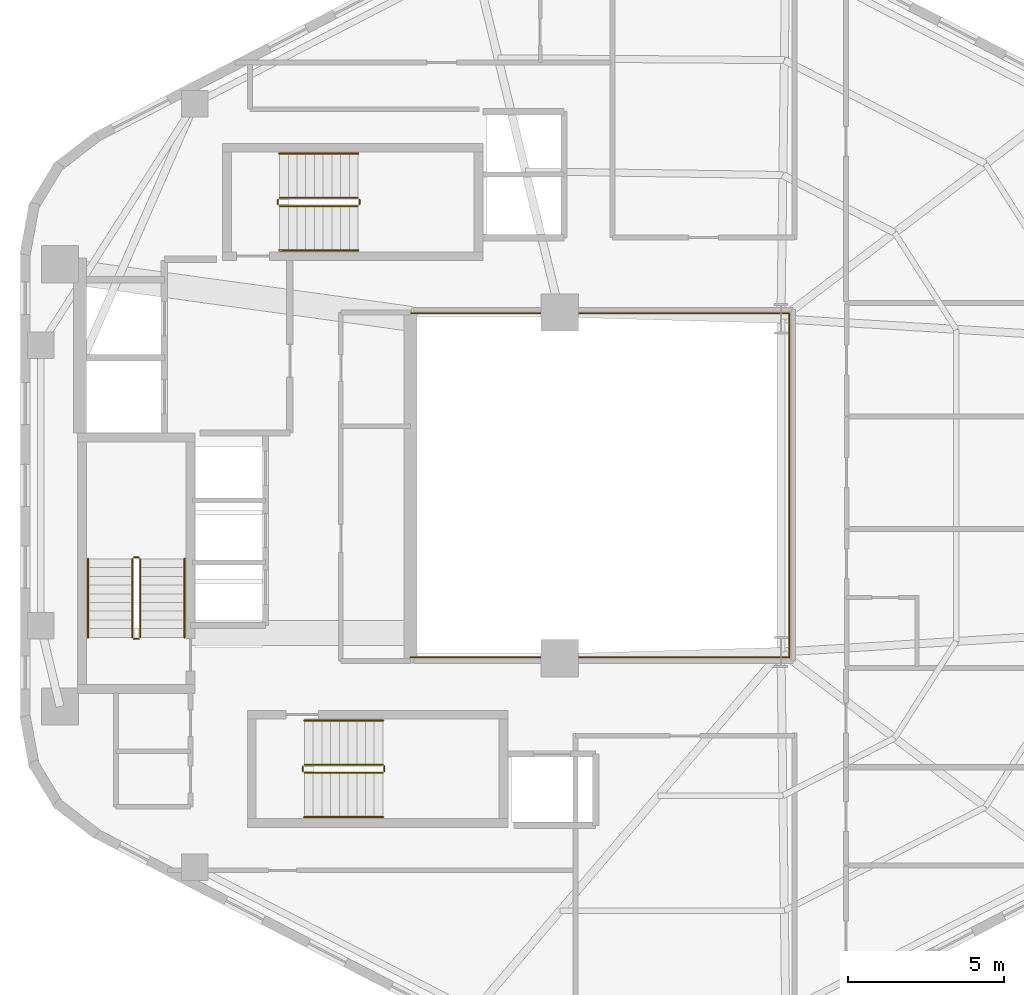
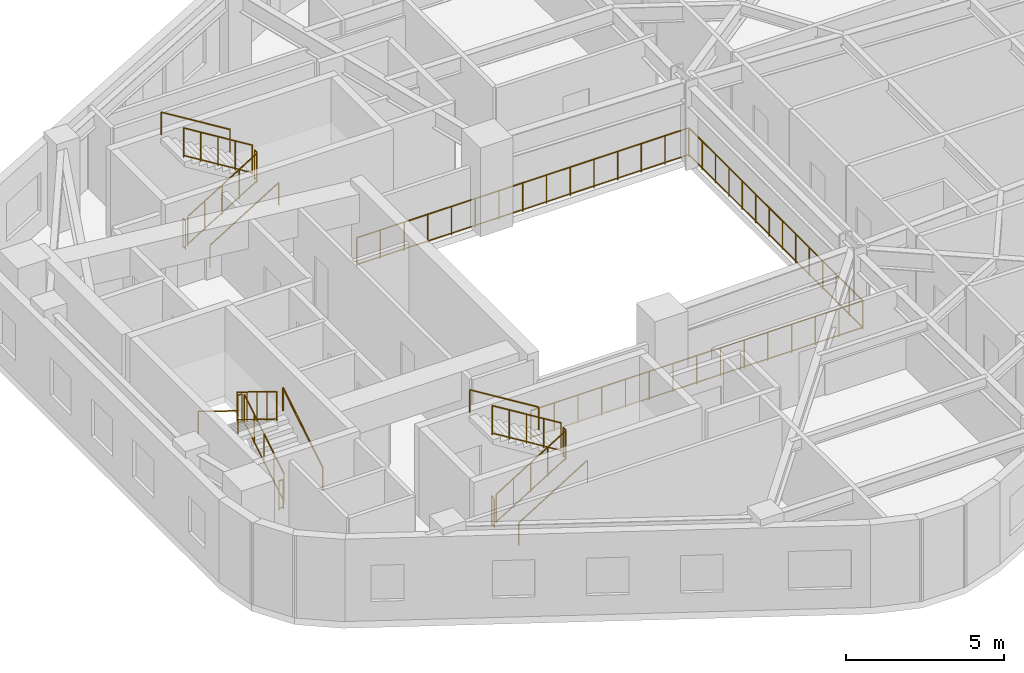
# One storey, part 7 of 7: 19 railings.
"""IFC4 building model written with IfcOpenShell, lengths in metres."""

from ifc_helpers import new_model, si_unit, direction, frame, origin, origin_2d, place, context, subcontext, project, spatial, circle, extrude, material, type_object, element, save


model = new_model("IFC4")

# Units and contexts
model_context = context("Model", 3, precision=1e-05, world=origin(), true_north=direction((0.0, 1.0)))
body_context = subcontext(model_context, "Body", "Model", "MODEL_VIEW")
ifc_project = project(units=[si_unit("LENGTHUNIT", "METRE"), si_unit("AREAUNIT", "SQUARE_METRE"), si_unit("VOLUMEUNIT", "CUBIC_METRE"), si_unit("PLANEANGLEUNIT", "RADIAN"), si_unit("MASSUNIT", "GRAM", prefix="KILO"), si_unit("THERMODYNAMICTEMPERATUREUNIT", "KELVIN"), si_unit("POWERUNIT", "WATT")], contexts=[model_context])

# Site, building, storey
site_placement = place(None, origin())
site = spatial("IfcSite", under=ifc_project, at=site_placement, CompositionType="ELEMENT")
building_placement = place(site_placement, origin())
building = spatial("IfcBuilding", under=site, at=building_placement, Name="Skarre Station Tower", CompositionType="ELEMENT")
storey_placement = place(building_placement, frame((0.0, 0.0, 196.449951171875)))
storey = spatial("IfcBuildingStorey", under=building, at=storey_placement, Name="L53", CompositionType="ELEMENT", Elevation=196.449951171875)

# Railings
ifc_material_1 = material(Name="Bronze Anodized Steel & Laminated Glass Balustrade", Category="steel")
railing_type_1 = type_object("IfcRailingType", Name="Atrium Void & Mezzanine Guard Balustrade 1120", PredefinedType="GUARDRAIL", material=ifc_material_1)
railing_1_placement = place(storey_placement, frame((27.550048828125, 18.47998046875, 0.0)))
element("IfcRailing", 1, at=railing_1_placement, inside=storey, type_object=railing_type_1, Name="L53 Atrium Void Guard Balustrade", PredefinedType="GUARDRAIL", context=body_context, shape_type="SweptSolid", body=[
    extrude(circle(Radius=0.02392578125, at=origin_2d()), frame((0.0, 0.0, 1.09619140625), z_axis=(1.0, 0.0, 0.0), x_axis=(0.0, 1.0, 0.0)), (0.0, 0.0, 1.0), 12.169921875),
    extrude(circle(Radius=0.02099609375, at=origin_2d()), frame((0.0, 0.0, 0.06005859375), z_axis=(1.0, 0.0, 0.0), x_axis=(0.0, 1.0, 0.0)), (0.0, 0.0, 1.0), 12.169921875),
    extrude(circle(Radius=0.02392578125, at=origin_2d()), frame((12.169921875, 0.0, 1.09619140625), z_axis=(0.0, 1.0, 0.0), x_axis=(-1.0, 0.0, 0.0)), (0.0, 0.0, 1.0), 11.0400390625),
    extrude(circle(Radius=0.02099609375, at=origin_2d()), frame((12.169921875, 0.0, 0.06005859375), z_axis=(0.0, 1.0, 0.0), x_axis=(-1.0, 0.0, 0.0)), (0.0, 0.0, 1.0), 11.0400390625),
    extrude(circle(Radius=0.02392578125, at=origin_2d()), frame((12.169921875, 11.0400390625, 1.09619140625), z_axis=(-1.0, 0.0, 0.0), x_axis=(0.0, -1.0, 0.0)), (0.0, 0.0, 1.0), 12.169921875),
    extrude(circle(Radius=0.02099609375, at=origin_2d()), frame((12.169921875, 11.0400390625, 0.06005859375), z_axis=(-1.0, 0.0, 0.0), x_axis=(0.0, -1.0, 0.0)), (0.0, 0.0, 1.0), 12.169921875),
    extrude(circle(Radius=0.02099609375, at=origin_2d()), origin(), (0.0, 0.0, 1.0), 1.072021484375),
    extrude(circle(Radius=0.02099609375, at=origin_2d()), frame((0.869384765625, 0.0, 0.0)), (0.0, 0.0, 1.0), 1.072021484375),
    extrude(circle(Radius=0.02099609375, at=origin_2d()), frame((1.738525390625, 0.0, 0.0)), (0.0, 0.0, 1.0), 1.072021484375),
    extrude(circle(Radius=0.02099609375, at=origin_2d()), frame((2.60791015625, 0.0, 0.0)), (0.0, 0.0, 1.0), 1.072021484375),
    extrude(circle(Radius=0.02099609375, at=origin_2d()), frame((3.47705078125, 0.0, 0.0)), (0.0, 0.0, 1.0), 1.072021484375),
    extrude(circle(Radius=0.02099609375, at=origin_2d()), frame((4.346435546875, 0.0, 0.0)), (0.0, 0.0, 1.0), 1.072021484375),
    extrude(circle(Radius=0.02099609375, at=origin_2d()), frame((5.215576171875, 0.0, 0.0)), (0.0, 0.0, 1.0), 1.072021484375),
    extrude(circle(Radius=0.02099609375, at=origin_2d()), frame((6.0849609375, 0.0, 0.0)), (0.0, 0.0, 1.0), 1.072021484375),
    extrude(circle(Radius=0.02099609375, at=origin_2d()), frame((6.954345703125, 0.0, 0.0)), (0.0, 0.0, 1.0), 1.072021484375),
    extrude(circle(Radius=0.02099609375, at=origin_2d()), frame((7.823486328125, 0.0, 0.0)), (0.0, 0.0, 1.0), 1.072021484375),
    extrude(circle(Radius=0.02099609375, at=origin_2d()), frame((8.69287109375, 0.0, 0.0)), (0.0, 0.0, 1.0), 1.072021484375),
    extrude(circle(Radius=0.02099609375, at=origin_2d()), frame((9.56201171875, 0.0, 0.0)), (0.0, 0.0, 1.0), 1.072021484375),
    extrude(circle(Radius=0.02099609375, at=origin_2d()), frame((10.431396484375, 0.0, 0.0)), (0.0, 0.0, 1.0), 1.072021484375),
    extrude(circle(Radius=0.02099609375, at=origin_2d()), frame((11.300537109375, 0.0, 0.0)), (0.0, 0.0, 1.0), 1.072021484375),
    extrude(circle(Radius=0.02099609375, at=origin_2d()), frame((12.169921875, 0.0, 0.0)), (0.0, 0.0, 1.0), 1.072021484375),
    extrude(circle(Radius=0.02099609375, at=origin_2d()), frame((12.169921875, 0.84912109375, 0.0)), (0.0, 0.0, 1.0), 1.072021484375),
    extrude(circle(Radius=0.02099609375, at=origin_2d()), frame((12.169921875, 1.698486328125, 0.0)), (0.0, 0.0, 1.0), 1.072021484375),
    extrude(circle(Radius=0.02099609375, at=origin_2d()), frame((12.169921875, 2.547607421875, 0.0)), (0.0, 0.0, 1.0), 1.072021484375),
    extrude(circle(Radius=0.02099609375, at=origin_2d()), frame((12.169921875, 3.39697265625, 0.0)), (0.0, 0.0, 1.0), 1.072021484375),
    extrude(circle(Radius=0.02099609375, at=origin_2d()), frame((12.169921875, 4.24609375, 0.0)), (0.0, 0.0, 1.0), 1.072021484375),
    extrude(circle(Radius=0.02099609375, at=origin_2d()), frame((12.169921875, 5.095458984375, 0.0)), (0.0, 0.0, 1.0), 1.072021484375),
    extrude(circle(Radius=0.02099609375, at=origin_2d()), frame((12.169921875, 5.944580078125, 0.0)), (0.0, 0.0, 1.0), 1.072021484375),
    extrude(circle(Radius=0.02099609375, at=origin_2d()), frame((12.169921875, 6.7939453125, 0.0)), (0.0, 0.0, 1.0), 1.072021484375),
    extrude(circle(Radius=0.02099609375, at=origin_2d()), frame((12.169921875, 7.64306640625, 0.0)), (0.0, 0.0, 1.0), 1.072021484375),
    extrude(circle(Radius=0.02099609375, at=origin_2d()), frame((12.169921875, 8.492431640625, 0.0)), (0.0, 0.0, 1.0), 1.072021484375),
    extrude(circle(Radius=0.02099609375, at=origin_2d()), frame((12.169921875, 9.341552734375, 0.0)), (0.0, 0.0, 1.0), 1.072021484375),
    extrude(circle(Radius=0.02099609375, at=origin_2d()), frame((12.169921875, 10.19091796875, 0.0)), (0.0, 0.0, 1.0), 1.072021484375),
    extrude(circle(Radius=0.02099609375, at=origin_2d()), frame((12.169921875, 11.0400390625, 0.0)), (0.0, 0.0, 1.0), 1.072021484375),
    extrude(circle(Radius=0.02099609375, at=origin_2d()), frame((11.300537109375, 11.0400390625, 0.0)), (0.0, 0.0, 1.0), 1.072021484375),
    extrude(circle(Radius=0.02099609375, at=origin_2d()), frame((10.431396484375, 11.0400390625, 0.0)), (0.0, 0.0, 1.0), 1.072021484375),
    extrude(circle(Radius=0.02099609375, at=origin_2d()), frame((9.56201171875, 11.0400390625, 0.0)), (0.0, 0.0, 1.0), 1.072021484375),
    extrude(circle(Radius=0.02099609375, at=origin_2d()), frame((8.69287109375, 11.0400390625, 0.0)), (0.0, 0.0, 1.0), 1.072021484375),
    extrude(circle(Radius=0.02099609375, at=origin_2d()), frame((7.823486328125, 11.0400390625, 0.0)), (0.0, 0.0, 1.0), 1.072021484375),
    extrude(circle(Radius=0.02099609375, at=origin_2d()), frame((6.954345703125, 11.0400390625, 0.0)), (0.0, 0.0, 1.0), 1.072021484375),
    extrude(circle(Radius=0.02099609375, at=origin_2d()), frame((6.0849609375, 11.0400390625, 0.0)), (0.0, 0.0, 1.0), 1.072021484375),
    extrude(circle(Radius=0.02099609375, at=origin_2d()), frame((5.215576171875, 11.0400390625, 0.0)), (0.0, 0.0, 1.0), 1.072021484375),
    extrude(circle(Radius=0.02099609375, at=origin_2d()), frame((4.346435546875, 11.0400390625, 0.0)), (0.0, 0.0, 1.0), 1.072021484375),
    extrude(circle(Radius=0.02099609375, at=origin_2d()), frame((3.47705078125, 11.0400390625, 0.0)), (0.0, 0.0, 1.0), 1.072021484375),
    extrude(circle(Radius=0.02099609375, at=origin_2d()), frame((2.60791015625, 11.0400390625, 0.0)), (0.0, 0.0, 1.0), 1.072021484375),
    extrude(circle(Radius=0.02099609375, at=origin_2d()), frame((1.738525390625, 11.0400390625, 0.0)), (0.0, 0.0, 1.0), 1.072021484375),
    extrude(circle(Radius=0.02099609375, at=origin_2d()), frame((0.869384765625, 11.0400390625, 0.0)), (0.0, 0.0, 1.0), 1.072021484375),
    extrude(circle(Radius=0.02099609375, at=origin_2d()), frame((0.0, 11.0400390625, 0.0)), (0.0, 0.0, 1.0), 1.072021484375),
])
ifc_material_2 = material(Name="Powder-Coated Tubular Steel", Category="steel")
railing_type_2 = type_object("IfcRailingType", Name="Painted Steel Ramp & Stair Handrail 920", PredefinedType="HANDRAIL", material=ifc_material_2)
railing_2_placement = place(storey_placement, frame((20.300048828125, 19.1201171875, 0.172607421875)))
element("IfcRailing", 2, at=railing_2_placement, inside=storey, type_object=railing_type_2, Name="L53 ST-1 stair handrail 1", PredefinedType="HANDRAIL", context=body_context, shape_type="SweptSolid", body=[
    extrude(circle(Radius=0.02392578125, at=origin_2d()), frame((0.0, 0.0, 0.8759765625), z_axis=(0.0, 0.851377800117, 0.52455299205), x_axis=(-1.0, 0.0, 0.0)), (0.0, 0.0, 1.0), 2.959716796875),
    extrude(circle(Radius=0.02099609375, at=origin_2d()), origin(), (0.0, 0.0, 1.0), 0.851806640625),
    extrude(circle(Radius=0.02099609375, at=origin_2d()), frame((0.0, 2.519775390625, 1.552490234375)), (0.0, 0.0, 1.0), 0.851806640625),
])
railing_3_placement = place(storey_placement, frame((17.199951171875, 21.639892578125, 1.8974609375)))
element("IfcRailing", 3, at=railing_3_placement, inside=storey, type_object=railing_type_2, Name="L53 ST-1 stair handrail 2", PredefinedType="HANDRAIL", context=body_context, shape_type="SweptSolid", body=[
    extrude(circle(Radius=0.02392578125, at=origin_2d()), frame((0.0, 0.0, 0.8759765625), z_axis=(0.0, -0.851377800117, 0.52455299205), x_axis=(1.0, 0.0, 0.0)), (0.0, 0.0, 1.0), 2.959716796875),
    extrude(circle(Radius=0.02099609375, at=origin_2d()), origin(), (0.0, 0.0, 1.0), 0.851806640625),
    extrude(circle(Radius=0.02099609375, at=origin_2d()), frame((0.0, -2.519775390625, 1.552490234375)), (0.0, 0.0, 1.0), 0.851806640625),
])
railing_4_placement = place(storey_placement, frame((24.14990234375, 13.35009765625, 0.172607421875)))
element("IfcRailing", 4, at=railing_4_placement, inside=storey, type_object=railing_type_2, Name="L53 ST-2 stair handrail 1", PredefinedType="HANDRAIL", context=body_context, shape_type="SweptSolid", body=[
    extrude(circle(Radius=0.02392578125, at=origin_2d()), frame((0.0, 0.0, 0.8759765625), z_axis=(0.851400495292, 0.0, 0.524516154772), x_axis=(0.0, 1.0, 0.0)), (0.0, 0.0, 1.0), 2.9599609375),
    extrude(circle(Radius=0.02099609375, at=origin_2d()), origin(), (0.0, 0.0, 1.0), 0.851806640625),
    extrude(circle(Radius=0.02099609375, at=origin_2d()), frame((2.52001953125, 0.0, 1.552490234375)), (0.0, 0.0, 1.0), 0.851806640625),
])
railing_5_placement = place(storey_placement, frame((26.669921875, 16.449951171875, 1.8974609375)))
element("IfcRailing", 5, at=railing_5_placement, inside=storey, type_object=railing_type_2, Name="L53 ST-2 stair handrail 2", PredefinedType="HANDRAIL", context=body_context, shape_type="SweptSolid", body=[
    extrude(circle(Radius=0.02392578125, at=origin_2d()), frame((0.0, 0.0, 0.8759765625), z_axis=(-0.851400495292, 0.0, 0.524516154772), x_axis=(0.0, -1.0, 0.0)), (0.0, 0.0, 1.0), 2.9599609375),
    extrude(circle(Radius=0.02099609375, at=origin_2d()), origin(), (0.0, 0.0, 1.0), 0.851806640625),
    extrude(circle(Radius=0.02099609375, at=origin_2d()), frame((-2.52001953125, 0.0, 1.552490234375)), (0.0, 0.0, 1.0), 0.851806640625),
])
railing_6_placement = place(storey_placement, frame((23.35009765625, 31.550048828125, 0.172607421875)))
element("IfcRailing", 6, at=railing_6_placement, inside=storey, type_object=railing_type_2, Name="L53 ST-3 stair handrail 1", PredefinedType="HANDRAIL", context=body_context, shape_type="SweptSolid", body=[
    extrude(circle(Radius=0.02392578125, at=origin_2d()), frame((0.0, 0.0, 0.8759765625), z_axis=(0.851400495292, 0.0, 0.524516154772), x_axis=(0.0, 1.0, 0.0)), (0.0, 0.0, 1.0), 2.9599609375),
    extrude(circle(Radius=0.02099609375, at=origin_2d()), origin(), (0.0, 0.0, 1.0), 0.851806640625),
    extrude(circle(Radius=0.02099609375, at=origin_2d()), frame((2.52001953125, 0.0, 1.552490234375)), (0.0, 0.0, 1.0), 0.851806640625),
])
railing_7_placement = place(storey_placement, frame((25.8701171875, 34.64990234375, 1.8974609375)))
element("IfcRailing", 7, at=railing_7_placement, inside=storey, type_object=railing_type_2, Name="L53 ST-3 stair handrail 2", PredefinedType="HANDRAIL", context=body_context, shape_type="SweptSolid", body=[
    extrude(circle(Radius=0.02392578125, at=origin_2d()), frame((0.0, 0.0, 0.8759765625), z_axis=(-0.851400495292, 0.0, 0.524516154772), x_axis=(0.0, -1.0, 0.0)), (0.0, 0.0, 1.0), 2.9599609375),
    extrude(circle(Radius=0.02099609375, at=origin_2d()), origin(), (0.0, 0.0, 1.0), 0.851806640625),
    extrude(circle(Radius=0.02099609375, at=origin_2d()), frame((-2.52001953125, 0.0, 1.552490234375)), (0.0, 0.0, 1.0), 0.851806640625),
])
railing_type_3 = type_object("IfcRailingType", Name="Painted Steel Stairwell Guardrail 1100", PredefinedType="GUARDRAIL", material=ifc_material_2)
railing_8_placement = place(storey_placement, frame((18.8798828125, 19.1201171875, 0.172607421875)))
element("IfcRailing", 8, at=railing_8_placement, inside=storey, type_object=railing_type_3, Name="L53 ST-1 stair guard 1", PredefinedType="GUARDRAIL", context=body_context, shape_type="SweptSolid", body=[
    extrude(circle(Radius=0.02392578125, at=origin_2d()), frame((0.0, 0.0, 1.1259765625), z_axis=(0.0, 0.851377800117, 0.52455299205), x_axis=(-1.0, 0.0, 0.0)), (0.0, 0.0, 1.0), 2.959716796875),
    extrude(circle(Radius=0.02099609375, at=origin_2d()), frame((0.0, 0.0, 0.06005859375), z_axis=(0.0, 0.851377800117, 0.52455299205), x_axis=(-1.0, 0.0, 0.0)), (0.0, 0.0, 1.0), 2.959716796875),
    extrude(circle(Radius=0.02099609375, at=origin_2d()), origin(), (0.0, 0.0, 1.0), 1.101806640625),
    extrude(circle(Radius=0.02099609375, at=origin_2d()), frame((0.0, 0.6298828125, 0.38818359375)), (0.0, 0.0, 1.0), 1.101806640625),
    extrude(circle(Radius=0.02099609375, at=origin_2d()), frame((0.0, 1.259765625, 0.7763671875)), (0.0, 0.0, 1.0), 1.101806640625),
    extrude(circle(Radius=0.02099609375, at=origin_2d()), frame((0.0, 1.889892578125, 1.164306640625)), (0.0, 0.0, 1.0), 1.101806640625),
    extrude(circle(Radius=0.02099609375, at=origin_2d()), frame((0.0, 2.519775390625, 1.552490234375)), (0.0, 0.0, 1.0), 1.101806640625),
])
railing_9_placement = place(storey_placement, frame((18.830078125, 21.68994140625, 1.72509765625)))
element("IfcRailing", 9, at=railing_9_placement, inside=storey, type_object=railing_type_3, Name="L53 ST-1 stair guard 2", PredefinedType="GUARDRAIL", context=body_context, shape_type="SweptSolid", body=[
    extrude(circle(Radius=0.02392578125, at=origin_2d()), frame((0.0, 0.0, 1.1259765625), z_axis=(-1.0, 0.0, 0.0), x_axis=(0.0, -1.0, 0.0)), (0.0, 0.0, 1.0), 0.16015625),
    extrude(circle(Radius=0.02099609375, at=origin_2d()), frame((0.0, 0.0, 0.06005859375), z_axis=(-1.0, 0.0, 0.0), x_axis=(0.0, -1.0, 0.0)), (0.0, 0.0, 1.0), 0.16015625),
    extrude(circle(Radius=0.02099609375, at=origin_2d()), origin(), (0.0, 0.0, 1.0), 1.101806640625),
    extrude(circle(Radius=0.02099609375, at=origin_2d()), frame((-0.16015625, 0.0, 0.0)), (0.0, 0.0, 1.0), 1.101806640625),
])
railing_10_placement = place(storey_placement, frame((18.6201171875, 21.639892578125, 1.8974609375)))
element("IfcRailing", 10, at=railing_10_placement, inside=storey, type_object=railing_type_3, Name="L53 ST-1 stair guard 3", PredefinedType="GUARDRAIL", context=body_context, shape_type="SweptSolid", body=[
    extrude(circle(Radius=0.02392578125, at=origin_2d()), frame((0.0, 0.0, 1.1259765625), z_axis=(0.0, -0.851377800117, 0.52455299205), x_axis=(1.0, 0.0, 0.0)), (0.0, 0.0, 1.0), 2.959716796875),
    extrude(circle(Radius=0.02099609375, at=origin_2d()), frame((0.0, 0.0, 0.06005859375), z_axis=(0.0, -0.851377800117, 0.52455299205), x_axis=(1.0, 0.0, 0.0)), (0.0, 0.0, 1.0), 2.959716796875),
    extrude(circle(Radius=0.02099609375, at=origin_2d()), origin(), (0.0, 0.0, 1.0), 1.101806640625),
    extrude(circle(Radius=0.02099609375, at=origin_2d()), frame((0.0, -0.6298828125, 0.38818359375)), (0.0, 0.0, 1.0), 1.101806640625),
    extrude(circle(Radius=0.02099609375, at=origin_2d()), frame((0.0, -1.259765625, 0.7763671875)), (0.0, 0.0, 1.0), 1.101806640625),
    extrude(circle(Radius=0.02099609375, at=origin_2d()), frame((0.0, -1.889892578125, 1.164306640625)), (0.0, 0.0, 1.0), 1.101806640625),
    extrude(circle(Radius=0.02099609375, at=origin_2d()), frame((0.0, -2.519775390625, 1.552490234375)), (0.0, 0.0, 1.0), 1.101806640625),
])
railing_11_placement = place(storey_placement, frame((18.830078125, 19.070068359375, 0.0)))
element("IfcRailing", 11, at=railing_11_placement, inside=storey, type_object=railing_type_3, Name="L53 ST-1 stair guard 4", PredefinedType="GUARDRAIL", context=body_context, shape_type="SweptSolid", body=[
    extrude(circle(Radius=0.02392578125, at=origin_2d()), frame((0.0, 0.0, 1.1259765625), z_axis=(-1.0, 0.0, 0.0), x_axis=(0.0, -1.0, 0.0)), (0.0, 0.0, 1.0), 0.16015625),
    extrude(circle(Radius=0.02099609375, at=origin_2d()), frame((0.0, 0.0, 0.06005859375), z_axis=(-1.0, 0.0, 0.0), x_axis=(0.0, -1.0, 0.0)), (0.0, 0.0, 1.0), 0.16015625),
    extrude(circle(Radius=0.02099609375, at=origin_2d()), origin(), (0.0, 0.0, 1.0), 1.101806640625),
    extrude(circle(Radius=0.02099609375, at=origin_2d()), frame((-0.16015625, 0.0, 0.0)), (0.0, 0.0, 1.0), 1.101806640625),
])
railing_12_placement = place(storey_placement, frame((24.14990234375, 14.77001953125, 0.172607421875)))
element("IfcRailing", 12, at=railing_12_placement, inside=storey, type_object=railing_type_3, Name="L53 ST-2 stair guard 1", PredefinedType="GUARDRAIL", context=body_context, shape_type="SweptSolid", body=[
    extrude(circle(Radius=0.02392578125, at=origin_2d()), frame((0.0, 0.0, 1.1259765625), z_axis=(0.851400495292, 0.0, 0.524516154772), x_axis=(0.0, 1.0, 0.0)), (0.0, 0.0, 1.0), 2.9599609375),
    extrude(circle(Radius=0.02099609375, at=origin_2d()), frame((0.0, 0.0, 0.06005859375), z_axis=(0.851400495292, 0.0, 0.524516154772), x_axis=(0.0, 1.0, 0.0)), (0.0, 0.0, 1.0), 2.9599609375),
    extrude(circle(Radius=0.02099609375, at=origin_2d()), origin(), (0.0, 0.0, 1.0), 1.101806640625),
    extrude(circle(Radius=0.02099609375, at=origin_2d()), frame((0.6298828125, 0.0, 0.38818359375)), (0.0, 0.0, 1.0), 1.101806640625),
    extrude(circle(Radius=0.02099609375, at=origin_2d()), frame((1.260009765625, 0.0, 0.7763671875)), (0.0, 0.0, 1.0), 1.101806640625),
    extrude(circle(Radius=0.02099609375, at=origin_2d()), frame((1.89013671875, 0.0, 1.164306640625)), (0.0, 0.0, 1.0), 1.101806640625),
    extrude(circle(Radius=0.02099609375, at=origin_2d()), frame((2.52001953125, 0.0, 1.552490234375)), (0.0, 0.0, 1.0), 1.101806640625),
])
railing_13_placement = place(storey_placement, frame((26.719970703125, 14.820068359375, 1.72509765625)))
element("IfcRailing", 13, at=railing_13_placement, inside=storey, type_object=railing_type_3, Name="L53 ST-2 stair guard 2", PredefinedType="GUARDRAIL", context=body_context, shape_type="SweptSolid", body=[
    extrude(circle(Radius=0.02392578125, at=origin_2d()), frame((0.0, 0.0, 1.1259765625), z_axis=(0.0, 1.0, 0.0), x_axis=(-1.0, 0.0, 0.0)), (0.0, 0.0, 1.0), 0.159912109375),
    extrude(circle(Radius=0.02099609375, at=origin_2d()), frame((0.0, 0.0, 0.06005859375), z_axis=(0.0, 1.0, 0.0), x_axis=(-1.0, 0.0, 0.0)), (0.0, 0.0, 1.0), 0.159912109375),
    extrude(circle(Radius=0.02099609375, at=origin_2d()), origin(), (0.0, 0.0, 1.0), 1.101806640625),
    extrude(circle(Radius=0.02099609375, at=origin_2d()), frame((0.0, 0.159912109375, 0.0)), (0.0, 0.0, 1.0), 1.101806640625),
])
railing_14_placement = place(storey_placement, frame((26.669921875, 15.030029296875, 1.8974609375)))
element("IfcRailing", 14, at=railing_14_placement, inside=storey, type_object=railing_type_3, Name="L53 ST-2 stair guard 3", PredefinedType="GUARDRAIL", context=body_context, shape_type="SweptSolid", body=[
    extrude(circle(Radius=0.02392578125, at=origin_2d()), frame((0.0, 0.0, 1.1259765625), z_axis=(-0.851400495292, 0.0, 0.524516154772), x_axis=(0.0, -1.0, 0.0)), (0.0, 0.0, 1.0), 2.9599609375),
    extrude(circle(Radius=0.02099609375, at=origin_2d()), frame((0.0, 0.0, 0.06005859375), z_axis=(-0.851400495292, 0.0, 0.524516154772), x_axis=(0.0, -1.0, 0.0)), (0.0, 0.0, 1.0), 2.9599609375),
    extrude(circle(Radius=0.02099609375, at=origin_2d()), origin(), (0.0, 0.0, 1.0), 1.101806640625),
    extrude(circle(Radius=0.02099609375, at=origin_2d()), frame((-0.6298828125, 0.0, 0.38818359375)), (0.0, 0.0, 1.0), 1.101806640625),
    extrude(circle(Radius=0.02099609375, at=origin_2d()), frame((-1.260009765625, 0.0, 0.7763671875)), (0.0, 0.0, 1.0), 1.101806640625),
    extrude(circle(Radius=0.02099609375, at=origin_2d()), frame((-1.89013671875, 0.0, 1.164306640625)), (0.0, 0.0, 1.0), 1.101806640625),
    extrude(circle(Radius=0.02099609375, at=origin_2d()), frame((-2.52001953125, 0.0, 1.552490234375)), (0.0, 0.0, 1.0), 1.101806640625),
])
railing_15_placement = place(storey_placement, frame((24.10009765625, 14.820068359375, 0.0)))
element("IfcRailing", 15, at=railing_15_placement, inside=storey, type_object=railing_type_3, Name="L53 ST-2 stair guard 4", PredefinedType="GUARDRAIL", context=body_context, shape_type="SweptSolid", body=[
    extrude(circle(Radius=0.02392578125, at=origin_2d()), frame((0.0, 0.0, 1.1259765625), z_axis=(0.0, 1.0, 0.0), x_axis=(-1.0, 0.0, 0.0)), (0.0, 0.0, 1.0), 0.159912109375),
    extrude(circle(Radius=0.02099609375, at=origin_2d()), frame((0.0, 0.0, 0.06005859375), z_axis=(0.0, 1.0, 0.0), x_axis=(-1.0, 0.0, 0.0)), (0.0, 0.0, 1.0), 0.159912109375),
    extrude(circle(Radius=0.02099609375, at=origin_2d()), origin(), (0.0, 0.0, 1.0), 1.101806640625),
    extrude(circle(Radius=0.02099609375, at=origin_2d()), frame((0.0, 0.159912109375, 0.0)), (0.0, 0.0, 1.0), 1.101806640625),
])
railing_16_placement = place(storey_placement, frame((23.35009765625, 32.969970703125, 0.172607421875)))
element("IfcRailing", 16, at=railing_16_placement, inside=storey, type_object=railing_type_3, Name="L53 ST-3 stair guard 1", PredefinedType="GUARDRAIL", context=body_context, shape_type="SweptSolid", body=[
    extrude(circle(Radius=0.02392578125, at=origin_2d()), frame((0.0, 0.0, 1.1259765625), z_axis=(0.851400495292, 0.0, 0.524516154772), x_axis=(0.0, 1.0, 0.0)), (0.0, 0.0, 1.0), 2.9599609375),
    extrude(circle(Radius=0.02099609375, at=origin_2d()), frame((0.0, 0.0, 0.06005859375), z_axis=(0.851400495292, 0.0, 0.524516154772), x_axis=(0.0, 1.0, 0.0)), (0.0, 0.0, 1.0), 2.9599609375),
    extrude(circle(Radius=0.02099609375, at=origin_2d()), origin(), (0.0, 0.0, 1.0), 1.101806640625),
    extrude(circle(Radius=0.02099609375, at=origin_2d()), frame((0.6298828125, 0.0, 0.38818359375)), (0.0, 0.0, 1.0), 1.101806640625),
    extrude(circle(Radius=0.02099609375, at=origin_2d()), frame((1.260009765625, 0.0, 0.7763671875)), (0.0, 0.0, 1.0), 1.101806640625),
    extrude(circle(Radius=0.02099609375, at=origin_2d()), frame((1.89013671875, 0.0, 1.164306640625)), (0.0, 0.0, 1.0), 1.101806640625),
    extrude(circle(Radius=0.02099609375, at=origin_2d()), frame((2.52001953125, 0.0, 1.552490234375)), (0.0, 0.0, 1.0), 1.101806640625),
])
railing_17_placement = place(storey_placement, frame((25.919921875, 33.02001953125, 1.72509765625)))
element("IfcRailing", 17, at=railing_17_placement, inside=storey, type_object=railing_type_3, Name="L53 ST-3 stair guard 2", PredefinedType="GUARDRAIL", context=body_context, shape_type="SweptSolid", body=[
    extrude(circle(Radius=0.02392578125, at=origin_2d()), frame((0.0, 0.0, 1.1259765625), z_axis=(0.0, 1.0, 0.0), x_axis=(-1.0, 0.0, 0.0)), (0.0, 0.0, 1.0), 0.159912109375),
    extrude(circle(Radius=0.02099609375, at=origin_2d()), frame((0.0, 0.0, 0.06005859375), z_axis=(0.0, 1.0, 0.0), x_axis=(-1.0, 0.0, 0.0)), (0.0, 0.0, 1.0), 0.159912109375),
    extrude(circle(Radius=0.02099609375, at=origin_2d()), origin(), (0.0, 0.0, 1.0), 1.101806640625),
    extrude(circle(Radius=0.02099609375, at=origin_2d()), frame((0.0, 0.159912109375, 0.0)), (0.0, 0.0, 1.0), 1.101806640625),
])
railing_18_placement = place(storey_placement, frame((25.8701171875, 33.22998046875, 1.8974609375)))
element("IfcRailing", 18, at=railing_18_placement, inside=storey, type_object=railing_type_3, Name="L53 ST-3 stair guard 3", PredefinedType="GUARDRAIL", context=body_context, shape_type="SweptSolid", body=[
    extrude(circle(Radius=0.02392578125, at=origin_2d()), frame((0.0, 0.0, 1.1259765625), z_axis=(-0.851400495292, 0.0, 0.524516154772), x_axis=(0.0, -1.0, 0.0)), (0.0, 0.0, 1.0), 2.9599609375),
    extrude(circle(Radius=0.02099609375, at=origin_2d()), frame((0.0, 0.0, 0.06005859375), z_axis=(-0.851400495292, 0.0, 0.524516154772), x_axis=(0.0, -1.0, 0.0)), (0.0, 0.0, 1.0), 2.9599609375),
    extrude(circle(Radius=0.02099609375, at=origin_2d()), origin(), (0.0, 0.0, 1.0), 1.101806640625),
    extrude(circle(Radius=0.02099609375, at=origin_2d()), frame((-0.6298828125, 0.0, 0.38818359375)), (0.0, 0.0, 1.0), 1.101806640625),
    extrude(circle(Radius=0.02099609375, at=origin_2d()), frame((-1.260009765625, 0.0, 0.7763671875)), (0.0, 0.0, 1.0), 1.101806640625),
    extrude(circle(Radius=0.02099609375, at=origin_2d()), frame((-1.89013671875, 0.0, 1.164306640625)), (0.0, 0.0, 1.0), 1.101806640625),
    extrude(circle(Radius=0.02099609375, at=origin_2d()), frame((-2.52001953125, 0.0, 1.552490234375)), (0.0, 0.0, 1.0), 1.101806640625),
])
railing_19_placement = place(storey_placement, frame((23.300048828125, 33.02001953125, 0.0)))
element("IfcRailing", 19, at=railing_19_placement, inside=storey, type_object=railing_type_3, Name="L53 ST-3 stair guard 4", PredefinedType="GUARDRAIL", context=body_context, shape_type="SweptSolid", body=[
    extrude(circle(Radius=0.02392578125, at=origin_2d()), frame((0.0, 0.0, 1.1259765625), z_axis=(0.0, 1.0, 0.0), x_axis=(-1.0, 0.0, 0.0)), (0.0, 0.0, 1.0), 0.159912109375),
    extrude(circle(Radius=0.02099609375, at=origin_2d()), frame((0.0, 0.0, 0.06005859375), z_axis=(0.0, 1.0, 0.0), x_axis=(-1.0, 0.0, 0.0)), (0.0, 0.0, 1.0), 0.159912109375),
    extrude(circle(Radius=0.02099609375, at=origin_2d()), origin(), (0.0, 0.0, 1.0), 1.101806640625),
    extrude(circle(Radius=0.02099609375, at=origin_2d()), frame((0.0, 0.159912109375, 0.0)), (0.0, 0.0, 1.0), 1.101806640625),
])

save(model, "model.ifc")
